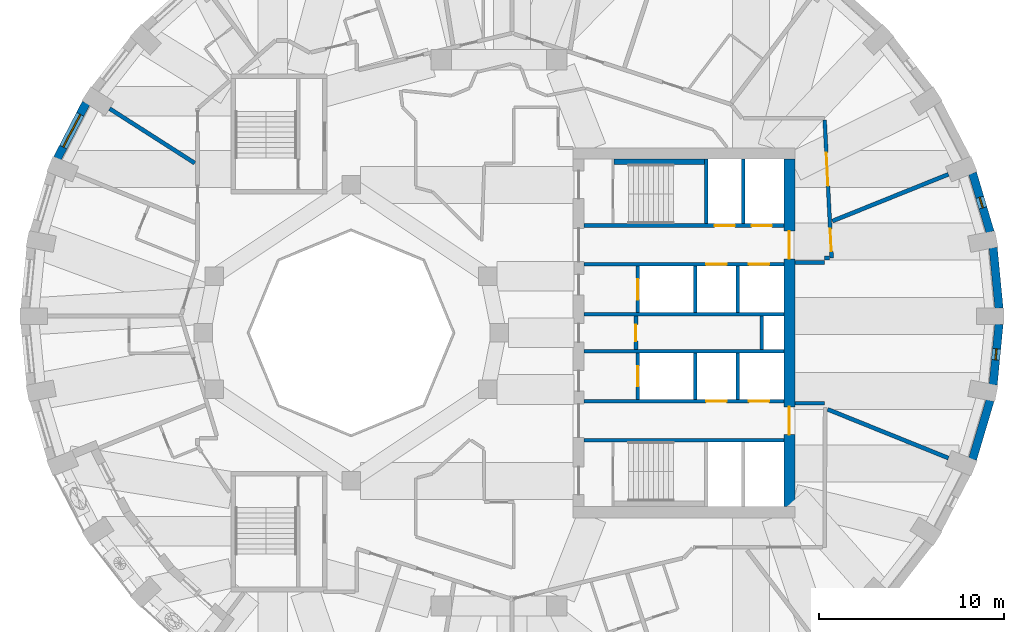
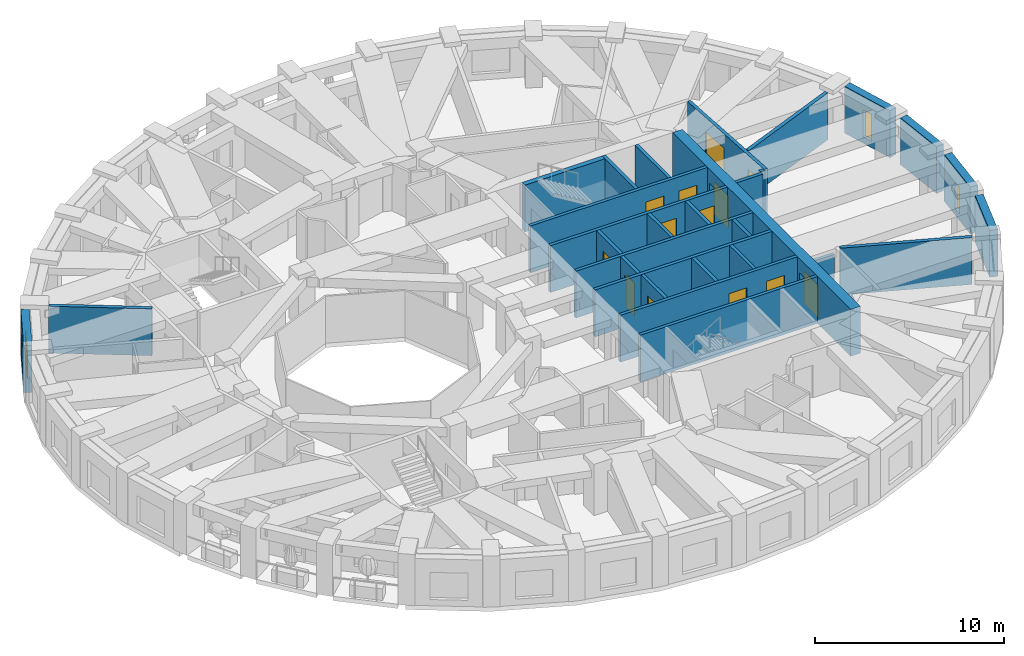
# One storey, part 6 of 12: 30 walls, 13 doors, 3 windows, 16 openings.
"""IFC4 building model written with IfcOpenShell, lengths in metres."""

from ifc_helpers import new_model, si_unit, direction, frame, frame_2d, origin, place, context, subcontext, project, spatial, rectangle, extrude, material, layer, layer_set, type_object, element, fill, save


model = new_model("IFC4")

# Units and contexts
model_context = context("Model", 3, precision=1e-05, world=origin(), true_north=direction((0.0, 1.0)))
body_context = subcontext(model_context, "Body", "Model", "MODEL_VIEW")
ifc_project = project(units=[si_unit("LENGTHUNIT", "METRE"), si_unit("AREAUNIT", "SQUARE_METRE"), si_unit("VOLUMEUNIT", "CUBIC_METRE"), si_unit("PLANEANGLEUNIT", "RADIAN"), si_unit("MASSUNIT", "GRAM", prefix="KILO")], contexts=[model_context])

# Site, building, storey
site_placement = place(None, origin())
site = spatial("IfcSite", under=ifc_project, at=site_placement, CompositionType="ELEMENT")
building_placement = place(site_placement, origin())
building = spatial("IfcBuilding", under=site, at=building_placement, Name="Taillehof Tower", CompositionType="ELEMENT")
storey_placement = place(building_placement, frame((0.0, 0.0, 222.199951171875)))
storey = spatial("IfcBuildingStorey", under=building, at=storey_placement, Name="L63", CompositionType="ELEMENT", Elevation=222.199951171875)

# Wall
ifc_material_1 = material(Name="Brick masonry", Category="masonry")
ifc_layer_1 = layer(ifc_material_1, 0.449951171875)
ifc_layer_set_1 = layer_set([ifc_layer_1], Name="Brick infill wall 450")
wall_type_1 = type_object("IfcWallType", Name="Brick infill wall 450", PredefinedType="SOLIDWALL", material=ifc_layer_set_1)
wall_1_placement = place(storey_placement, frame((27.0322265625, 1.330078125, 0.0), z_axis=(0.0, 0.0, 1.0), x_axis=(-0.096824116835, 0.995301507283, 0.0)))
element("IfcWall", 1, at=wall_1_placement, inside=storey, type_object=wall_type_1, Name="Brick wall L63 bay 1", PredefinedType="SOLIDWALL", context=body_context, shape_type="SweptSolid", body=[
    extrude(rectangle(XDim=3.29296875, YDim=0.449951171875, at=frame_2d((1.646484375, 0.0))), origin(), (0.0, 0.0, 1.0), 3.02001953125),
])

# Wall, opening, window
wall_2_placement = place(storey_placement, frame((26.548095703125, 5.451904296875, 0.0), z_axis=(0.0, 0.0, 1.0), x_axis=(-0.285444972963, 0.958395099847, 0.0)))
wall_2 = element("IfcWall", 2, at=wall_2_placement, inside=storey, type_object=wall_type_1, Name="Brick wall L63 bay 2", PredefinedType="SOLIDWALL", context=body_context, shape_type="SweptSolid", body=[
    extrude(rectangle(XDim=3.3203125, YDim=0.449951171875, at=frame_2d((1.66015625, 0.0))), origin(), (0.0, 0.0, 1.0), 3.02001953125),
])
opening_1_placement = place(wall_2_placement, frame((1.360107421875, 0.0, 0.39990234375)))
opening_1 = element("IfcOpeningElement", 3, at=opening_1_placement, cuts=wall_2, Name="Opening W6", PredefinedType="OPENING", context=body_context, shape_type="SweptSolid", body=[
    extrude(rectangle(XDim=0.60009765625, YDim=1.75, at=frame_2d((0.300048828125, 0.875))), frame((0.0, 0.23486328125, 0.0), z_axis=(0.0, -1.0, 0.0), x_axis=(1.0, 0.0, 0.0)), (0.0, 0.0, 1.0), 0.469970703125),
])
ifc_material_2 = material(Name="Aluminium window frame with clear double glazing", Category="aluminium")
window_type_1 = type_object("IfcWindowType", Name="Slot window 600x1750", PartitioningType="SINGLE_PANEL", PredefinedType="WINDOW", material=ifc_material_2)
window_1_placement = place(opening_1_placement, origin())
window_1 = element("IfcWindow", 4, at=window_1_placement, inside=storey, type_object=window_type_1, Name="W6", OverallHeight=1.75, OverallWidth=0.60009765625, PartitioningType="SINGLE_PANEL", PredefinedType="WINDOW", context=body_context, shape_type="SweptSolid", body=[
    extrude(rectangle(XDim=0.60009765625, YDim=1.75, at=frame_2d((0.300048828125, 0.875))), frame((0.0, 0.034912109375, 0.0), z_axis=(0.0, -1.0, 0.0), x_axis=(1.0, 0.0, 0.0)), (0.0, 0.0, 1.0), 0.06005859375),
])
fill(opening_1, window_1)

wall_3_placement = place(storey_placement, frame((-22.326904296875, 12.424072265625, 0.0), z_axis=(0.0, 0.0, 1.0), x_axis=(-0.460232593174, -0.887798378113, 0.0)))
wall_3 = element("IfcWall", 5, at=wall_3_placement, inside=storey, type_object=wall_type_1, Name="Brick wall L63 bay 16", PredefinedType="SOLIDWALL", context=body_context, shape_type="SweptSolid", body=[
    extrude(rectangle(XDim=3.37060546875, YDim=0.449951171875, at=frame_2d((1.685302734375, 0.0))), origin(), (0.0, 0.0, 1.0), 3.02001953125),
])
opening_2_placement = place(wall_3_placement, frame((0.685302734375, 0.0, 0.39990234375)))
opening_2 = element("IfcOpeningElement", 6, at=opening_2_placement, cuts=wall_3, Name="Opening W2", PredefinedType="OPENING", context=body_context, shape_type="SweptSolid", body=[
    extrude(rectangle(XDim=2.0, YDim=1.75, at=frame_2d((1.0, 0.875))), frame((0.0, 0.23486328125, 0.0), z_axis=(0.0, -1.0, 0.0), x_axis=(1.0, 0.0, 0.0)), (0.0, 0.0, 1.0), 0.469970703125),
])
ifc_material_3 = material(Name="Aluminium window frame with clear double glazing", Category="aluminium")
window_type_2 = type_object("IfcWindowType", Name="Deep-set window 2000x1750", PartitioningType="SINGLE_PANEL", PredefinedType="WINDOW", material=ifc_material_3)
window_2_placement = place(opening_2_placement, origin())
window_2 = element("IfcWindow", 7, at=window_2_placement, inside=storey, type_object=window_type_2, Name="W2", OverallHeight=1.75, OverallWidth=2.0, PartitioningType="SINGLE_PANEL", PredefinedType="WINDOW", context=body_context, shape_type="SweptSolid", body=[
    extrude(rectangle(XDim=2.0, YDim=1.75, at=frame_2d((1.0, 0.875))), frame((0.0, 0.034912109375, 0.0), z_axis=(0.0, -1.0, 0.0), x_axis=(1.0, 0.0, 0.0)), (0.0, 0.0, 1.0), 0.06005859375),
])
fill(opening_2, window_2)

# Wall
wall_4_placement = place(storey_placement, frame((25.600341796875, -6.833984375, 0.0), z_axis=(0.0, 0.0, 1.0), x_axis=(0.285444972963, 0.958395099847, 0.0)))
element("IfcWall", 8, at=wall_4_placement, inside=storey, type_object=wall_type_1, Name="Brick wall L63 bay 35", PredefinedType="SOLIDWALL", context=body_context, shape_type="SweptSolid", body=[
    extrude(rectangle(XDim=3.3203125, YDim=0.449951171875, at=frame_2d((1.66015625, 0.0))), origin(), (0.0, 0.0, 1.0), 3.02001953125),
])

# Wall, opening, window
wall_5_placement = place(storey_placement, frame((26.71337890625, -2.807861328125, 0.0), z_axis=(0.0, 0.0, 1.0), x_axis=(0.096816972749, 0.995302202242, 0.0)))
wall_5 = element("IfcWall", 9, at=wall_5_placement, inside=storey, type_object=wall_type_1, Name="Brick wall L63 bay 36", PredefinedType="SOLIDWALL", context=body_context, shape_type="SweptSolid", body=[
    extrude(rectangle(XDim=3.293212890625, YDim=0.449951171875, at=frame_2d((1.646484375, 0.0))), origin(), (0.0, 0.0, 1.0), 3.02001953125),
])
opening_3_placement = place(wall_5_placement, frame((1.3466796875, 0.0, 0.39990234375)))
opening_3 = element("IfcOpeningElement", 10, at=opening_3_placement, cuts=wall_5, Name="Opening W6", PredefinedType="OPENING", context=body_context, shape_type="SweptSolid", body=[
    extrude(rectangle(XDim=0.60009765625, YDim=1.75, at=frame_2d((0.300048828125, 0.875))), frame((0.0, 0.23486328125, 0.0), z_axis=(0.0, -1.0, 0.0), x_axis=(1.0, 0.0, 0.0)), (0.0, 0.0, 1.0), 0.469970703125),
])
window_3_placement = place(opening_3_placement, origin())
window_3 = element("IfcWindow", 11, at=window_3_placement, inside=storey, type_object=window_type_1, Name="W6", OverallHeight=1.75, OverallWidth=0.60009765625, PartitioningType="SINGLE_PANEL", PredefinedType="WINDOW", context=body_context, shape_type="SweptSolid", body=[
    extrude(rectangle(XDim=0.60009765625, YDim=1.75, at=frame_2d((0.300048828125, 0.875))), frame((0.0, 0.034912109375, 0.0), z_axis=(0.0, -1.0, 0.0), x_axis=(1.0, 0.0, 0.0)), (0.0, 0.0, 1.0), 0.06005859375),
])
fill(opening_3, window_3)

# Wall, opening, door
ifc_material_4 = material(Name="Calcium silicate masonry", Category="masonry")
ifc_layer_2 = layer(ifc_material_4, 0.199951171875)
ifc_layer_set_2 = layer_set([ifc_layer_2], Name="Compartment wall calcium silicate 200")
wall_type_2 = type_object("IfcWallType", Name="Compartment wall calcium silicate 200", PredefinedType="PARTITIONING", material=ifc_layer_set_2)
wall_6_placement = place(storey_placement, frame((7.39990234375, -0.89990234375, 0.0), z_axis=(0.0, 0.0, 1.0), x_axis=(0.0, 1.0, 0.0)))
wall_6 = element("IfcWall", 12, at=wall_6_placement, inside=storey, type_object=wall_type_2, Name="Compartment wall FW", PredefinedType="PARTITIONING", context=body_context, shape_type="SweptSolid", body=[
    extrude(rectangle(XDim=1.7998046875, YDim=0.199951171875, at=frame_2d((0.89990234375, 0.0))), origin(), (0.0, 0.0, 1.0), 3.02001953125),
])
opening_4_placement = place(wall_6_placement, frame((0.449951171875, 0.0, 0.0)))
opening_4 = element("IfcOpeningElement", 13, at=opening_4_placement, cuts=wall_6, Name="Opening D6314", PredefinedType="OPENING", context=body_context, shape_type="SweptSolid", body=[
    extrude(rectangle(XDim=0.89990234375, YDim=2.10009765625, at=frame_2d((0.449951171875, 1.050048828125))), frame((0.0, 0.10986328125, 0.0), z_axis=(0.0, -1.0, 0.0), x_axis=(1.0, 0.0, 0.0)), (0.0, 0.0, 1.0), 0.219970703125),
])
ifc_material_5 = material(Name="Steel-faced fire door", Category="steel")
door_type_1 = type_object("IfcDoorType", Name="Riser and service room door 900x2100", OperationType="SINGLE_SWING_LEFT", PredefinedType="DOOR", material=ifc_material_5)
door_1_placement = place(opening_4_placement, origin())
door_1 = element("IfcDoor", 14, at=door_1_placement, inside=storey, type_object=door_type_1, Name="Door Linen Store", OperationType="SINGLE_SWING_RIGHT", OverallHeight=2.10009765625, OverallWidth=0.89990234375, PredefinedType="DOOR", context=body_context, shape_type="SweptSolid", body=[
    extrude(rectangle(XDim=0.89990234375, YDim=2.10009765625, at=frame_2d((0.449951171875, 1.050048828125))), frame((0.0, 0.02490234375, 0.0), z_axis=(0.0, -1.0, 0.0), x_axis=(1.0, 0.0, 0.0)), (0.0, 0.0, 1.0), 0.050048828125),
])
fill(opening_4, door_1)

# Wall
wall_7_placement = place(storey_placement, frame((14.199951171875, -0.89990234375, 0.0), z_axis=(0.0, 0.0, 1.0), x_axis=(0.0, 1.0, 0.0)))
element("IfcWall", 15, at=wall_7_placement, inside=storey, type_object=wall_type_2, Name="Compartment wall FW", PredefinedType="PARTITIONING", context=body_context, shape_type="SweptSolid", body=[
    extrude(rectangle(XDim=1.7998046875, YDim=0.199951171875, at=frame_2d((0.89990234375, 0.0))), origin(), (0.0, 0.0, 1.0), 3.02001953125),
])

# Wall, openings, doors
ifc_material_6 = material(Name="Gypsum board on steel studs, two layers each side", Category="steel")
ifc_layer_3 = layer(ifc_material_6, 0.199951171875)
ifc_layer_set_3 = layer_set([ifc_layer_3], Name="Compartment wall corridor 200")
wall_type_3 = type_object("IfcWallType", Name="Compartment wall corridor 200", PredefinedType="PARTITIONING", material=ifc_layer_set_3)
wall_8_placement = place(storey_placement, frame((17.60498046875, 11.5, 0.0), z_axis=(0.0, 0.0, 1.0), x_axis=(0.050646981223, -0.998716618112, 0.0)))
wall_8 = element("IfcWall", 16, at=wall_8_placement, inside=storey, type_object=wall_type_3, Name="Compartment wall", PredefinedType="PARTITIONING", context=body_context, shape_type="SweptSolid", body=[
    extrude(rectangle(XDim=7.466796875, YDim=0.199951171875, at=frame_2d((3.7333984375, 0.0))), origin(), (0.0, 0.0, 1.0), 3.02001953125),
])
opening_5_placement = place(wall_8_placement, frame((5.888916015625, 0.0, 0.0)))
opening_5 = element("IfcOpeningElement", 17, at=opening_5_placement, cuts=wall_8, Name="Opening D6366", PredefinedType="OPENING", context=body_context, shape_type="SweptSolid", body=[
    extrude(rectangle(XDim=1.199951171875, YDim=2.10009765625, at=frame_2d((0.60009765625, 1.050048828125))), frame((0.0, 0.10986328125, 0.0), z_axis=(0.0, -1.0, 0.0), x_axis=(1.0, 0.0, 0.0)), (0.0, 0.0, 1.0), 0.219970703125),
])
opening_6_placement = place(wall_8_placement, frame((1.7646484375, 0.0, 0.0)))
opening_6 = element("IfcOpeningElement", 18, at=opening_6_placement, cuts=wall_8, Name="Opening D6367", PredefinedType="OPENING", context=body_context, shape_type="SweptSolid", body=[
    extrude(rectangle(XDim=1.800048828125, YDim=2.10009765625, at=frame_2d((0.89990234375, 1.050048828125))), frame((0.0, 0.10986328125, 0.0), z_axis=(0.0, -1.0, 0.0), x_axis=(1.0, 0.0, 0.0)), (0.0, 0.0, 1.0), 0.219970703125),
])
ifc_material_7 = material(Name="Timber door leaf in steel frame", Category="steel")
door_type_2 = type_object("IfcDoorType", Name="Lounge and meeting room double door EI 30 1800 x 2100", OperationType="SINGLE_SWING_LEFT", PredefinedType="DOOR", material=ifc_material_7)
door_2_placement = place(opening_6_placement, origin())
door_2 = element("IfcDoor", 19, at=door_2_placement, inside=storey, type_object=door_type_2, Name="D6367", OperationType="DOUBLE_DOOR_SINGLE_SWING", OverallHeight=2.10009765625, OverallWidth=1.800048828125, PredefinedType="DOOR", context=body_context, shape_type="SweptSolid", body=[
    extrude(rectangle(XDim=1.800048828125, YDim=2.10009765625, at=frame_2d((0.89990234375, 1.050048828125))), frame((0.0, 0.02490234375, 0.0), z_axis=(0.0, -1.0, 0.0), x_axis=(1.0, 0.0, 0.0)), (0.0, 0.0, 1.0), 0.050048828125),
])
fill(opening_6, door_2)
ifc_material_8 = material(Name="Timber door leaf in steel frame", Category="steel")
door_type_3 = type_object("IfcDoorType", Name="Suite entrance door EI 30 1200 x 2100", OperationType="SINGLE_SWING_LEFT", PredefinedType="DOOR", material=ifc_material_8)
door_3_placement = place(opening_5_placement, origin())
door_3 = element("IfcDoor", 20, at=door_3_placement, inside=storey, type_object=door_type_3, Name="D6366", OperationType="SINGLE_SWING_LEFT", OverallHeight=2.10009765625, OverallWidth=1.199951171875, PredefinedType="DOOR", context=body_context, shape_type="SweptSolid", body=[
    extrude(rectangle(XDim=1.199951171875, YDim=2.10009765625, at=frame_2d((0.60009765625, 1.050048828125))), frame((0.0, 0.02490234375, 0.0), z_axis=(0.0, -1.0, 0.0), x_axis=(1.0, 0.0, 0.0)), (0.0, 0.0, 1.0), 0.050048828125),
])
fill(opening_5, door_3)

# Walls
wall_9_placement = place(storey_placement, frame((17.863037109375, 4.042724609375, 0.0), z_axis=(0.0, 0.0, 1.0), x_axis=(-1.0, 0.0, 0.0)))
element("IfcWall", 21, at=wall_9_placement, inside=storey, type_object=wall_type_3, Name="Compartment wall", PredefinedType="PARTITIONING", context=body_context, shape_type="SweptSolid", body=[
    extrude(rectangle(XDim=0.262939453125, YDim=0.199951171875, at=frame_2d((0.13134765625, 0.0))), origin(), (0.0, 0.0, 1.0), 3.02001953125),
])
wall_10_placement = place(storey_placement, frame((17.60009765625, 3.800048828125, 0.0), z_axis=(0.0, 0.0, 1.0), x_axis=(-1.0, 0.0, 0.0)))
element("IfcWall", 22, at=wall_10_placement, inside=storey, type_object=wall_type_3, Name="Compartment wall", PredefinedType="PARTITIONING", context=body_context, shape_type="SweptSolid", body=[
    extrude(rectangle(XDim=1.59619140625, YDim=0.199951171875, at=frame_2d((0.798095703125, 0.0))), origin(), (0.0, 0.0, 1.0), 3.02001953125),
])
wall_11_placement = place(storey_placement, frame((16.00390625, -3.800048828125, 0.0), z_axis=(0.0, 0.0, 1.0), x_axis=(1.0, 0.0, 0.0)))
element("IfcWall", 23, at=wall_11_placement, inside=storey, type_object=wall_type_3, Name="Compartment wall", PredefinedType="PARTITIONING", context=body_context, shape_type="SweptSolid", body=[
    extrude(rectangle(XDim=1.59619140625, YDim=0.199951171875, at=frame_2d((0.798095703125, 0.0))), origin(), (0.0, 0.0, 1.0), 2.469970703125),
])
ifc_material_9 = material(Name="Gypsum board on double steel studs with mineral wool", Category="steel")
ifc_layer_4 = layer(ifc_material_9, 0.219970703125)
ifc_layer_set_4 = layer_set([ifc_layer_4], Name="Compartment wall guest room 220")
wall_type_4 = type_object("IfcWallType", Name="Compartment wall guest room 220", PredefinedType="PARTITIONING", material=ifc_layer_set_4)
wall_12_placement = place(storey_placement, frame((24.29541015625, 8.5712890625, 0.0), z_axis=(0.0, 0.0, 1.0), x_axis=(-0.927397869515, -0.374076451569, 0.0)))
element("IfcWall", 24, at=wall_12_placement, inside=storey, type_object=wall_type_4, Name="Compartment wall", PredefinedType="PARTITIONING", context=body_context, shape_type="SweptSolid", body=[
    extrude(rectangle(XDim=6.7666015625, YDim=0.219970703125, at=frame_2d((3.38330078125, 0.0))), origin(), (0.0, 0.0, 1.0), 3.02001953125),
])
wall_13_placement = place(storey_placement, frame((-21.054931640625, 12.120849609375, 0.0), z_axis=(0.0, 0.0, 1.0), x_axis=(0.842286811608, -0.539029616061, 0.0)))
element("IfcWall", 25, at=wall_13_placement, inside=storey, type_object=wall_type_4, Name="Compartment wall", PredefinedType="PARTITIONING", context=body_context, shape_type="SweptSolid", body=[
    extrude(rectangle(XDim=5.46630859375, YDim=0.219970703125, at=frame_2d((2.733154296875, 0.0))), origin(), (0.0, 0.0, 1.0), 3.02001953125),
])
wall_14_placement = place(storey_placement, frame((24.29541015625, -6.771484375, 0.0), z_axis=(0.0, 0.0, 1.0), x_axis=(-0.927386950843, 0.374103519639, 0.0)))
element("IfcWall", 26, at=wall_14_placement, inside=storey, type_object=wall_type_4, Name="Compartment wall", PredefinedType="PARTITIONING", context=body_context, shape_type="SweptSolid", body=[
    extrude(rectangle(XDim=7.040283203125, YDim=0.219970703125, at=frame_2d((3.52001953125, 0.0))), origin(), (0.0, 0.0, 1.0), 3.02001953125),
])
ifc_material_10 = material(Name="Calcium silicate masonry", Category="masonry")
ifc_layer_5 = layer(ifc_material_10, 0.300048828125)
ifc_layer_set_5 = layer_set([ifc_layer_5], Name="Compartment wall lining calcium silicate 300")
wall_type_5 = type_object("IfcWallType", Name="Compartment wall lining calcium silicate 300", PredefinedType="PARTITIONING", material=ifc_layer_set_5)
wall_15_placement = place(storey_placement, frame((6.219970703125, 9.25, 0.0), z_axis=(0.0, 0.0, 1.0), x_axis=(1.0, 0.0, 0.0)))
element("IfcWall", 27, at=wall_15_placement, inside=storey, type_object=wall_type_5, Name="Compartment wall FW", PredefinedType="PARTITIONING", context=body_context, shape_type="SweptSolid", body=[
    extrude(rectangle(XDim=4.880126953125, YDim=0.300048828125, at=frame_2d((2.43994140625, 0.0))), origin(), (0.0, 0.0, 1.0), 3.02001953125),
])

# Wall, openings, doors
ifc_material_11 = material(Name="Concrete C80/95", Category="concrete")
ifc_layer_6 = layer(ifc_material_11, 0.60009765625)
ifc_layer_set_6 = layer_set([ifc_layer_6], Name="Core wall C80/95 600")
wall_type_6 = type_object("IfcWallType", Name="Core wall C80/95 600", PredefinedType="SHEAR", material=ifc_layer_set_6)
wall_16_placement = place(storey_placement, frame((15.699951171875, -9.39990234375, 0.0), z_axis=(0.0, 0.0, 1.0), x_axis=(0.0, 1.0, 0.0)))
wall_16 = element("IfcWall", 28, at=wall_16_placement, inside=storey, type_object=wall_type_6, Name="Core wall CW05", PredefinedType="SHEAR", context=body_context, shape_type="SweptSolid", body=[
    extrude(rectangle(XDim=18.7998046875, YDim=0.60009765625, at=frame_2d((9.39990234375, 0.0))), origin(), (0.0, 0.0, 1.0), 3.02001953125),
])
opening_7_placement = place(wall_16_placement, frame((13.39990234375, 0.0, 0.0)))
opening_7 = element("IfcOpeningElement", 29, at=opening_7_placement, cuts=wall_16, Name="Opening D6308", PredefinedType="OPENING", context=body_context, shape_type="SweptSolid", body=[
    extrude(rectangle(XDim=1.5, YDim=2.10009765625, at=frame_2d((0.75, 1.050048828125))), frame((0.0, 0.31005859375, 0.0), z_axis=(0.0, -1.0, 0.0), x_axis=(1.0, 0.0, 0.0)), (0.0, 0.0, 1.0), 0.6201171875),
])
opening_8_placement = place(wall_16_placement, frame((3.89990234375, 0.0, 0.0)))
opening_8 = element("IfcOpeningElement", 30, at=opening_8_placement, cuts=wall_16, Name="Opening D6309", PredefinedType="OPENING", context=body_context, shape_type="SweptSolid", body=[
    extrude(rectangle(XDim=1.5, YDim=2.10009765625, at=frame_2d((0.75, 1.050048828125))), frame((0.0, 0.31005859375, 0.0), z_axis=(0.0, -1.0, 0.0), x_axis=(1.0, 0.0, 0.0)), (0.0, 0.0, 1.0), 0.6201171875),
])
ifc_material_12 = material(Name="Steel-faced fire door", Category="steel")
door_type_4 = type_object("IfcDoorType", Name="Lift lobby east door 1500x2100", OperationType="DOUBLE_DOOR_SINGLE_SWING", PredefinedType="DOOR", material=ifc_material_12)
door_4_placement = place(opening_7_placement, origin())
door_4 = element("IfcDoor", 31, at=door_4_placement, inside=storey, type_object=door_type_4, Name="Lift lobby east door north", OperationType="DOUBLE_DOOR_SINGLE_SWING", OverallHeight=2.10009765625, OverallWidth=1.5, PredefinedType="DOOR", context=body_context, shape_type="SweptSolid", body=[
    extrude(rectangle(XDim=1.5, YDim=2.10009765625, at=frame_2d((0.75, 1.050048828125))), frame((0.0, 0.02490234375, 0.0), z_axis=(0.0, -1.0, 0.0), x_axis=(1.0, 0.0, 0.0)), (0.0, 0.0, 1.0), 0.050048828125),
])
fill(opening_7, door_4)
door_5_placement = place(opening_8_placement, origin())
door_5 = element("IfcDoor", 32, at=door_5_placement, inside=storey, type_object=door_type_4, Name="Lift lobby east door south", OperationType="DOUBLE_DOOR_SINGLE_SWING", OverallHeight=2.10009765625, OverallWidth=1.5, PredefinedType="DOOR", context=body_context, shape_type="SweptSolid", body=[
    extrude(rectangle(XDim=1.5, YDim=2.10009765625, at=frame_2d((0.75, 1.050048828125))), frame((0.0, 0.02490234375, 0.0), z_axis=(0.0, -1.0, 0.0), x_axis=(1.0, 0.0, 0.0)), (0.0, 0.0, 1.0), 0.050048828125),
])
fill(opening_8, door_5)

ifc_material_13 = material(Name="Concrete C50/60", Category="concrete")
ifc_layer_7 = layer(ifc_material_13, 0.199951171875)
ifc_layer_set_7 = layer_set([ifc_layer_7], Name="Shaft wall C50/60 200")
wall_type_7 = type_object("IfcWallType", Name="Shaft wall C50/60 200", PredefinedType="SHEAR", material=ifc_layer_set_7)
wall_17_placement = place(storey_placement, frame((4.60009765625, 5.800048828125, 0.0), z_axis=(0.0, 0.0, 1.0), x_axis=(1.0, 0.0, 0.0)))
wall_17 = element("IfcWall", 33, at=wall_17_placement, inside=storey, type_object=wall_type_7, Name="Shaft wall SW", PredefinedType="SHEAR", context=body_context, shape_type="SweptSolid", body=[
    extrude(rectangle(XDim=10.7998046875, YDim=0.199951171875, at=frame_2d((5.39990234375, 0.0))), origin(), (0.0, 0.0, 1.0), 3.02001953125),
])
opening_9_placement = place(wall_17_placement, frame((7.050048828125, 0.0, 0.0)))
opening_9 = element("IfcOpeningElement", 34, at=opening_9_placement, cuts=wall_17, Name="Opening LD1", PredefinedType="OPENING", context=body_context, shape_type="SweptSolid", body=[
    extrude(rectangle(XDim=1.10009765625, YDim=2.10009765625, at=frame_2d((0.550048828125, 1.050048828125))), frame((0.0, 0.10986328125, 0.0), z_axis=(0.0, -1.0, 0.0), x_axis=(1.0, 0.0, 0.0)), (0.0, 0.0, 1.0), 0.219970703125),
])
opening_10_placement = place(wall_17_placement, frame((9.050048828125, 0.0, 0.0)))
opening_10 = element("IfcOpeningElement", 35, at=opening_10_placement, cuts=wall_17, Name="Opening LD1", PredefinedType="OPENING", context=body_context, shape_type="SweptSolid", body=[
    extrude(rectangle(XDim=1.10009765625, YDim=2.10009765625, at=frame_2d((0.550048828125, 1.050048828125))), frame((0.0, 0.10986328125, 0.0), z_axis=(0.0, -1.0, 0.0), x_axis=(1.0, 0.0, 0.0)), (0.0, 0.0, 1.0), 0.219970703125),
])
ifc_material_14 = material(Name="Stainless steel", Category="steel")
door_type_5 = type_object("IfcDoorType", Name="Lift landing door LD1 1100x2100", OperationType="DOUBLE_DOOR_SLIDING", PredefinedType="DOOR", material=ifc_material_14)
door_6_placement = place(opening_9_placement, origin())
door_6 = element("IfcDoor", 36, at=door_6_placement, inside=storey, type_object=door_type_5, Name="Landing door HR1", OperationType="DOUBLE_DOOR_SLIDING", OverallHeight=2.10009765625, OverallWidth=1.10009765625, PredefinedType="DOOR", context=body_context, shape_type="SweptSolid", body=[
    extrude(rectangle(XDim=1.10009765625, YDim=2.10009765625, at=frame_2d((0.550048828125, 1.050048828125))), frame((0.0, 0.02490234375, 0.0), z_axis=(0.0, -1.0, 0.0), x_axis=(1.0, 0.0, 0.0)), (0.0, 0.0, 1.0), 0.050048828125),
])
fill(opening_9, door_6)
door_7_placement = place(opening_10_placement, origin())
door_7 = element("IfcDoor", 37, at=door_7_placement, inside=storey, type_object=door_type_5, Name="Landing door HR2", OperationType="DOUBLE_DOOR_SLIDING", OverallHeight=2.10009765625, OverallWidth=1.10009765625, PredefinedType="DOOR", context=body_context, shape_type="SweptSolid", body=[
    extrude(rectangle(XDim=1.10009765625, YDim=2.10009765625, at=frame_2d((0.550048828125, 1.050048828125))), frame((0.0, 0.02490234375, 0.0), z_axis=(0.0, -1.0, 0.0), x_axis=(1.0, 0.0, 0.0)), (0.0, 0.0, 1.0), 0.050048828125),
])
fill(opening_10, door_7)

wall_18_placement = place(storey_placement, frame((4.60009765625, 3.699951171875, 0.0), z_axis=(0.0, 0.0, 1.0), x_axis=(1.0, 0.0, 0.0)))
wall_18 = element("IfcWall", 38, at=wall_18_placement, inside=storey, type_object=wall_type_7, Name="Shaft wall SW", PredefinedType="SHEAR", context=body_context, shape_type="SweptSolid", body=[
    extrude(rectangle(XDim=10.7998046875, YDim=0.199951171875, at=frame_2d((5.39990234375, 0.0))), origin(), (0.0, 0.0, 1.0), 3.02001953125),
])
opening_11_placement = place(wall_18_placement, frame((6.60009765625, 0.0, 0.0)))
opening_11 = element("IfcOpeningElement", 39, at=opening_11_placement, cuts=wall_18, Name="Opening LD1", PredefinedType="OPENING", context=body_context, shape_type="SweptSolid", body=[
    extrude(rectangle(XDim=1.10009765625, YDim=2.10009765625, at=frame_2d((0.550048828125, 1.050048828125))), frame((0.0, 0.10986328125, 0.0), z_axis=(0.0, -1.0, 0.0), x_axis=(1.0, 0.0, 0.0)), (0.0, 0.0, 1.0), 0.219970703125),
])
opening_12_placement = place(wall_18_placement, frame((8.89990234375, 0.0, 0.0)))
opening_12 = element("IfcOpeningElement", 40, at=opening_12_placement, cuts=wall_18, Name="Opening LD1", PredefinedType="OPENING", context=body_context, shape_type="SweptSolid", body=[
    extrude(rectangle(XDim=1.10009765625, YDim=2.10009765625, at=frame_2d((0.550048828125, 1.050048828125))), frame((0.0, 0.10986328125, 0.0), z_axis=(0.0, -1.0, 0.0), x_axis=(1.0, 0.0, 0.0)), (0.0, 0.0, 1.0), 0.219970703125),
])
door_8_placement = place(opening_11_placement, origin())
door_8 = element("IfcDoor", 41, at=door_8_placement, inside=storey, type_object=door_type_5, Name="Landing door HR3", OperationType="DOUBLE_DOOR_SLIDING", OverallHeight=2.10009765625, OverallWidth=1.10009765625, PredefinedType="DOOR", context=body_context, shape_type="SweptSolid", body=[
    extrude(rectangle(XDim=1.10009765625, YDim=2.10009765625, at=frame_2d((0.550048828125, 1.050048828125))), frame((0.0, 0.02490234375, 0.0), z_axis=(0.0, -1.0, 0.0), x_axis=(1.0, 0.0, 0.0)), (0.0, 0.0, 1.0), 0.050048828125),
])
fill(opening_11, door_8)
door_9_placement = place(opening_12_placement, origin())
door_9 = element("IfcDoor", 42, at=door_9_placement, inside=storey, type_object=door_type_5, Name="Landing door HR4", OperationType="DOUBLE_DOOR_SLIDING", OverallHeight=2.10009765625, OverallWidth=1.10009765625, PredefinedType="DOOR", context=body_context, shape_type="SweptSolid", body=[
    extrude(rectangle(XDim=1.10009765625, YDim=2.10009765625, at=frame_2d((0.550048828125, 1.050048828125))), frame((0.0, 0.02490234375, 0.0), z_axis=(0.0, -1.0, 0.0), x_axis=(1.0, 0.0, 0.0)), (0.0, 0.0, 1.0), 0.050048828125),
])
fill(opening_12, door_9)

# Walls
for number, where, z_axis, x_axis, name in (
    (43, (4.60009765625, 1.0, 0.0), (0.0, 0.0, 1.0), (1.0, 0.0, 0.0), "Shaft wall SW"),
    (44, (4.60009765625, -1.0, 0.0), (0.0, 0.0, 1.0), (1.0, 0.0, 0.0), "Shaft wall SW"),
):
    element("IfcWall", number, at=place(storey_placement, frame(where, z_axis=z_axis, x_axis=x_axis)), inside=storey, type_object=wall_type_7, Name=name, PredefinedType="SHEAR", context=body_context, shape_type="SweptSolid", body=[
        extrude(rectangle(XDim=10.7998046875, YDim=0.199951171875, at=frame_2d((5.39990234375, 0.0))), origin(), (0.0, 0.0, 1.0), 3.02001953125),
    ])

# Wall, openings, doors
wall_19_placement = place(storey_placement, frame((4.60009765625, -3.699951171875, 0.0), z_axis=(0.0, 0.0, 1.0), x_axis=(1.0, 0.0, 0.0)))
wall_19 = element("IfcWall", 45, at=wall_19_placement, inside=storey, type_object=wall_type_7, Name="Shaft wall SW", PredefinedType="SHEAR", context=body_context, shape_type="SweptSolid", body=[
    extrude(rectangle(XDim=10.7998046875, YDim=0.199951171875, at=frame_2d((5.39990234375, 0.0))), origin(), (0.0, 0.0, 1.0), 3.02001953125),
])
opening_13_placement = place(wall_19_placement, frame((6.60009765625, 0.0, 0.0)))
opening_13 = element("IfcOpeningElement", 46, at=opening_13_placement, cuts=wall_19, Name="Opening LD1", PredefinedType="OPENING", context=body_context, shape_type="SweptSolid", body=[
    extrude(rectangle(XDim=1.10009765625, YDim=2.10009765625, at=frame_2d((0.550048828125, 1.050048828125))), frame((0.0, 0.10986328125, 0.0), z_axis=(0.0, -1.0, 0.0), x_axis=(1.0, 0.0, 0.0)), (0.0, 0.0, 1.0), 0.219970703125),
])
opening_14_placement = place(wall_19_placement, frame((8.89990234375, 0.0, 0.0)))
opening_14 = element("IfcOpeningElement", 47, at=opening_14_placement, cuts=wall_19, Name="Opening LD1", PredefinedType="OPENING", context=body_context, shape_type="SweptSolid", body=[
    extrude(rectangle(XDim=1.10009765625, YDim=2.10009765625, at=frame_2d((0.550048828125, 1.050048828125))), frame((0.0, 0.10986328125, 0.0), z_axis=(0.0, -1.0, 0.0), x_axis=(1.0, 0.0, 0.0)), (0.0, 0.0, 1.0), 0.219970703125),
])
door_10_placement = place(opening_13_placement, origin())
door_10 = element("IfcDoor", 48, at=door_10_placement, inside=storey, type_object=door_type_5, Name="Landing door HR5", OperationType="DOUBLE_DOOR_SLIDING", OverallHeight=2.10009765625, OverallWidth=1.10009765625, PredefinedType="DOOR", context=body_context, shape_type="SweptSolid", body=[
    extrude(rectangle(XDim=1.10009765625, YDim=2.10009765625, at=frame_2d((0.550048828125, 1.050048828125))), frame((0.0, 0.02490234375, 0.0), z_axis=(0.0, -1.0, 0.0), x_axis=(1.0, 0.0, 0.0)), (0.0, 0.0, 1.0), 0.050048828125),
])
fill(opening_13, door_10)
door_11_placement = place(opening_14_placement, origin())
door_11 = element("IfcDoor", 49, at=door_11_placement, inside=storey, type_object=door_type_5, Name="Landing door HR6", OperationType="DOUBLE_DOOR_SLIDING", OverallHeight=2.10009765625, OverallWidth=1.10009765625, PredefinedType="DOOR", context=body_context, shape_type="SweptSolid", body=[
    extrude(rectangle(XDim=1.10009765625, YDim=2.10009765625, at=frame_2d((0.550048828125, 1.050048828125))), frame((0.0, 0.02490234375, 0.0), z_axis=(0.0, -1.0, 0.0), x_axis=(1.0, 0.0, 0.0)), (0.0, 0.0, 1.0), 0.050048828125),
])
fill(opening_14, door_11)

# Walls
wall_20_placement = place(storey_placement, frame((4.60009765625, -5.800048828125, 0.0), z_axis=(0.0, 0.0, 1.0), x_axis=(1.0, 0.0, 0.0)))
element("IfcWall", 50, at=wall_20_placement, inside=storey, type_object=wall_type_7, Name="Shaft wall SW", PredefinedType="SHEAR", context=body_context, shape_type="SweptSolid", body=[
    extrude(rectangle(XDim=10.7998046875, YDim=0.199951171875, at=frame_2d((5.39990234375, 0.0))), origin(), (0.0, 0.0, 1.0), 3.02001953125),
])
for number, where, z_axis, x_axis, name in (
    (51, (11.199951171875, 5.89990234375, 0.0), (0.0, 0.0, 1.0), (0.0, 1.0, 0.0), "Shaft wall SW"),
    (52, (13.199951171875, 5.89990234375, 0.0), (0.0, 0.0, 1.0), (0.0, 1.0, 0.0), "Shaft wall SW"),
):
    element("IfcWall", number, at=place(storey_placement, frame(where, z_axis=z_axis, x_axis=x_axis)), inside=storey, type_object=wall_type_7, Name=name, PredefinedType="SHEAR", context=body_context, shape_type="SweptSolid", body=[
        extrude(rectangle(XDim=3.5, YDim=0.199951171875, at=frame_2d((1.75, 0.0))), origin(), (0.0, 0.0, 1.0), 3.02001953125),
    ])

# Wall, opening, door
wall_21_placement = place(storey_placement, frame((7.5, 1.10009765625, 0.0), z_axis=(0.0, 0.0, 1.0), x_axis=(0.0, 1.0, 0.0)))
wall_21 = element("IfcWall", 53, at=wall_21_placement, inside=storey, type_object=wall_type_7, Name="Shaft wall SW", PredefinedType="SHEAR", context=body_context, shape_type="SweptSolid", body=[
    extrude(rectangle(XDim=2.5, YDim=0.199951171875, at=frame_2d((1.25, 0.0))), origin(), (0.0, 0.0, 1.0), 3.02001953125),
])
opening_15_placement = place(wall_21_placement, frame((0.699951171875, 0.0, 0.0)))
opening_15 = element("IfcOpeningElement", 54, at=opening_15_placement, cuts=wall_21, Name="Opening LD1", PredefinedType="OPENING", context=body_context, shape_type="SweptSolid", body=[
    extrude(rectangle(XDim=1.10009765625, YDim=2.10009765625, at=frame_2d((0.550048828125, 1.050048828125))), frame((0.0, 0.10986328125, 0.0), z_axis=(0.0, -1.0, 0.0), x_axis=(1.0, 0.0, 0.0)), (0.0, 0.0, 1.0), 0.219970703125),
])
door_12_placement = place(opening_15_placement, origin())
door_12 = element("IfcDoor", 55, at=door_12_placement, inside=storey, type_object=door_type_5, Name="Landing door FF1", OperationType="DOUBLE_DOOR_SLIDING", OverallHeight=2.10009765625, OverallWidth=1.10009765625, PredefinedType="DOOR", context=body_context, shape_type="SweptSolid", body=[
    extrude(rectangle(XDim=1.10009765625, YDim=2.10009765625, at=frame_2d((0.550048828125, 1.050048828125))), frame((0.0, 0.02490234375, 0.0), z_axis=(0.0, -1.0, 0.0), x_axis=(1.0, 0.0, 0.0)), (0.0, 0.0, 1.0), 0.050048828125),
])
fill(opening_15, door_12)

wall_22_placement = place(storey_placement, frame((7.5, -3.60009765625, 0.0), z_axis=(0.0, 0.0, 1.0), x_axis=(0.0, 1.0, 0.0)))
wall_22 = element("IfcWall", 56, at=wall_22_placement, inside=storey, type_object=wall_type_7, Name="Shaft wall SW", PredefinedType="SHEAR", context=body_context, shape_type="SweptSolid", body=[
    extrude(rectangle(XDim=2.5, YDim=0.199951171875, at=frame_2d((1.25, 0.0))), origin(), (0.0, 0.0, 1.0), 3.02001953125),
])
opening_16_placement = place(wall_22_placement, frame((0.699951171875, 0.0, 0.0)))
opening_16 = element("IfcOpeningElement", 57, at=opening_16_placement, cuts=wall_22, Name="Opening LD1", PredefinedType="OPENING", context=body_context, shape_type="SweptSolid", body=[
    extrude(rectangle(XDim=1.10009765625, YDim=2.10009765625, at=frame_2d((0.550048828125, 1.050048828125))), frame((0.0, 0.10986328125, 0.0), z_axis=(0.0, -1.0, 0.0), x_axis=(1.0, 0.0, 0.0)), (0.0, 0.0, 1.0), 0.219970703125),
])
door_13_placement = place(opening_16_placement, origin())
door_13 = element("IfcDoor", 58, at=door_13_placement, inside=storey, type_object=door_type_5, Name="Landing door FF2", OperationType="DOUBLE_DOOR_SLIDING", OverallHeight=2.10009765625, OverallWidth=1.10009765625, PredefinedType="DOOR", context=body_context, shape_type="SweptSolid", body=[
    extrude(rectangle(XDim=1.10009765625, YDim=2.10009765625, at=frame_2d((0.550048828125, 1.050048828125))), frame((0.0, 0.02490234375, 0.0), z_axis=(0.0, -1.0, 0.0), x_axis=(1.0, 0.0, 0.0)), (0.0, 0.0, 1.0), 0.050048828125),
])
fill(opening_16, door_13)

# Walls
for number, where, z_axis, x_axis, name in (
    (59, (10.60009765625, 1.10009765625, 0.0), (0.0, 0.0, 1.0), (0.0, 1.0, 0.0), "Shaft wall SW"),
    (60, (10.60009765625, -3.60009765625, 0.0), (0.0, 0.0, 1.0), (0.0, 1.0, 0.0), "Shaft wall SW"),
    (61, (12.89990234375, 1.10009765625, 0.0), (0.0, 0.0, 1.0), (0.0, 1.0, 0.0), "Shaft wall SW"),
    (62, (12.89990234375, -3.60009765625, 0.0), (0.0, 0.0, 1.0), (0.0, 1.0, 0.0), "Shaft wall SW"),
):
    element("IfcWall", number, at=place(storey_placement, frame(where, z_axis=z_axis, x_axis=x_axis)), inside=storey, type_object=wall_type_7, Name=name, PredefinedType="SHEAR", context=body_context, shape_type="SweptSolid", body=[
        extrude(rectangle(XDim=2.5, YDim=0.199951171875, at=frame_2d((1.25, 0.0))), origin(), (0.0, 0.0, 1.0), 3.02001953125),
    ])

save(model, "model.ifc")
